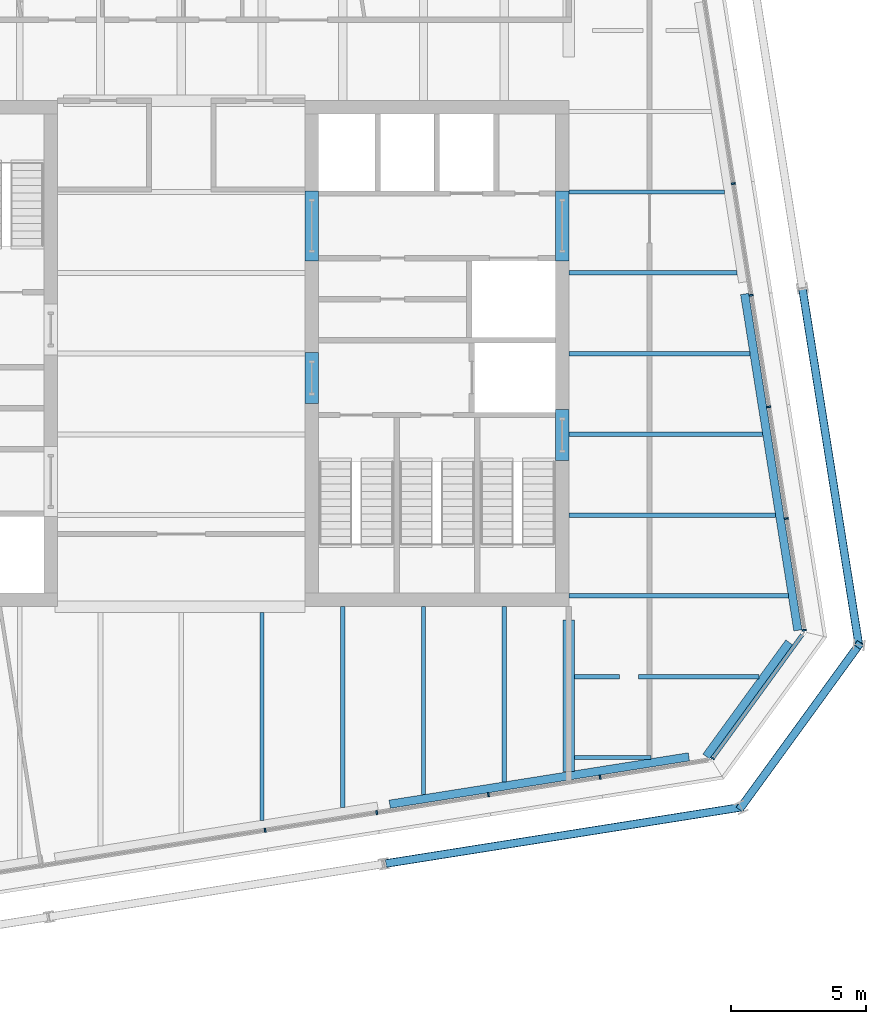
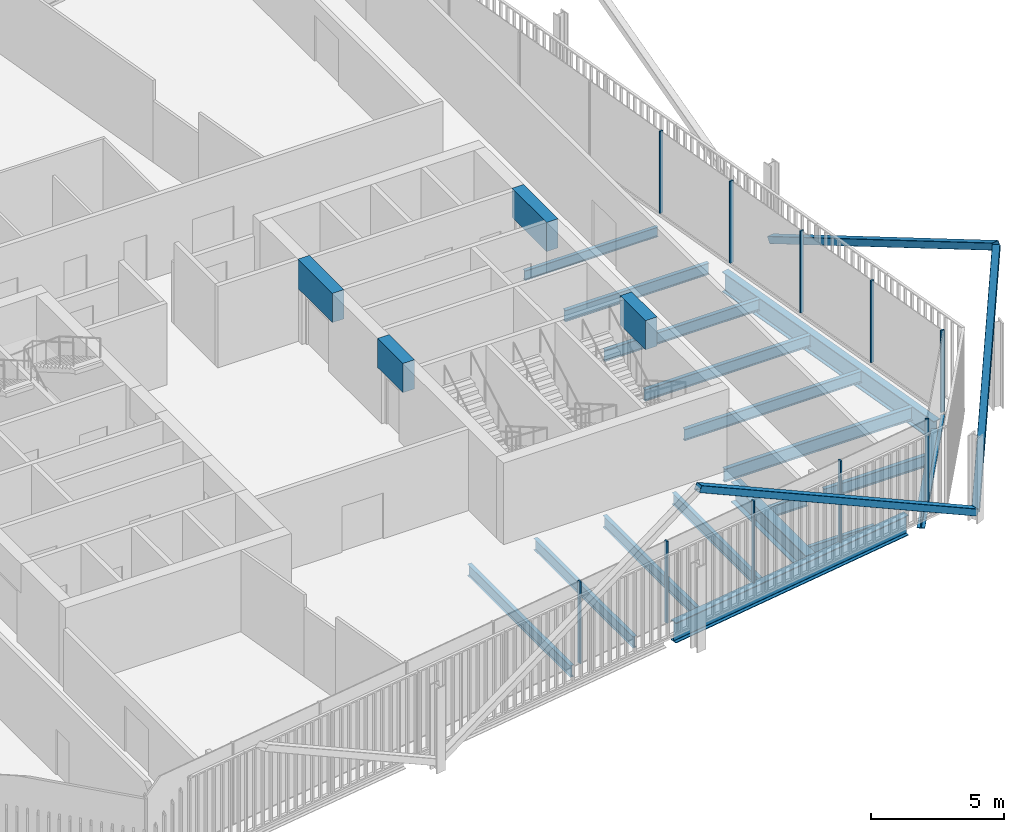
# One storey, part 8 of 20: 21 beams, 14 members, 3 elements without a shape of their own.
"""IFC4 building model written with IfcOpenShell, lengths in metres."""

from ifc_helpers import new_model, si_unit, direction, frame, origin, origin_2d, place, context, subcontext, project, spatial, rectangle, hollow_rectangle, i_section, extrude, material, layer, layer_set, material_profile, profile_set, type_object, element, aggregate, save


model = new_model("IFC4")

# Units and contexts
model_context = context("Model", 3, precision=1e-05, world=origin(), true_north=direction((0.0, 1.0)))
body_context = subcontext(model_context, "Body", "Model", "MODEL_VIEW")
ifc_project = project(units=[si_unit("LENGTHUNIT", "METRE"), si_unit("AREAUNIT", "SQUARE_METRE"), si_unit("VOLUMEUNIT", "CUBIC_METRE"), si_unit("PLANEANGLEUNIT", "RADIAN"), si_unit("MASSUNIT", "GRAM", prefix="KILO")], contexts=[model_context])

# Site, building, storey
site_placement = place(None, origin())
site = spatial("IfcSite", under=ifc_project, at=site_placement, CompositionType="ELEMENT")
building_placement = place(site_placement, origin())
building = spatial("IfcBuilding", under=site, at=building_placement, Name="Millrace Tower", CompositionType="ELEMENT")
storey_placement = place(building_placement, frame((0.0, 0.0, 204.699951171875)))
storey = spatial("IfcBuildingStorey", under=building, at=storey_placement, Name="L46", CompositionType="ELEMENT", Elevation=204.699951171875)

# Curtain wall, members
ifc_material_1 = material(Name="Aluminium and glass", Category="aluminium")
ifc_layer = layer(ifc_material_1, 0.14990234375)
ifc_layer_set = layer_set([ifc_layer], Name="Aluminium and glass")
curtain_wall_type = type_object("IfcCurtainWallType", Name="CW-1 office vision curtain wall", PredefinedType="NOTDEFINED", material=ifc_layer_set)
placement = place(storey_placement, origin())
curtain_wall_1 = element("IfcCurtainWall", 1, at=placement, inside=storey, type_object=curtain_wall_type, Name="Curtain wall D-F02 L46", PredefinedType="NOTDEFINED")
ifc_material_2 = material(Name="Aluminium", Category="aluminium")
ifc_material_profile_1 = material_profile(ifc_material_2, rectangle(XDim=0.06494140625, YDim=0.14990234375, at=origin_2d()))
ifc_profile_set_1 = profile_set([ifc_material_profile_1], Name="Aluminium")
member_type_1 = type_object("IfcMemberType", Name="CW-1 office vision curtain wall mullion", PredefinedType="MULLION", material=ifc_profile_set_1)
member_1_placement = place(storey_placement, frame((3.115966796875, -17.707275390625, 0.14013671875), z_axis=(0.0, 0.0, 1.0), x_axis=(0.987688339511, 0.156434471884, 0.0)))
member_1 = element("IfcMember", 2, at=member_1_placement, type_object=member_type_1, Name="CW1 mullion D-F02.6", PredefinedType="MULLION", context=body_context, shape_type="SweptSolid", body=[
    extrude(rectangle(XDim=0.06494140625, YDim=0.14990234375, at=origin_2d()), origin(), (0.0, 0.0, 1.0), 3.760009765625),
])
member_2_placement = place(storey_placement, frame((7.26416015625, -17.05029296875, 0.14013671875), z_axis=(0.0, 0.0, 1.0), x_axis=(0.987688339511, 0.156434471884, 0.0)))
member_2 = element("IfcMember", 3, at=member_2_placement, type_object=member_type_1, Name="CW1 mullion D-F02.7", PredefinedType="MULLION", context=body_context, shape_type="SweptSolid", body=[
    extrude(rectangle(XDim=0.06494140625, YDim=0.14990234375, at=origin_2d()), origin(), (0.0, 0.0, 1.0), 3.760009765625),
])
member_3_placement = place(storey_placement, frame((11.41259765625, -16.393310546875, 0.14013671875), z_axis=(0.0, 0.0, 1.0), x_axis=(0.987688339511, 0.156434471884, 0.0)))
member_3 = element("IfcMember", 4, at=member_3_placement, type_object=member_type_1, Name="CW1 mullion D-F02.8", PredefinedType="MULLION", context=body_context, shape_type="SweptSolid", body=[
    extrude(rectangle(XDim=0.06494140625, YDim=0.14990234375, at=origin_2d()), origin(), (0.0, 0.0, 1.0), 3.760009765625),
])
member_4_placement = place(storey_placement, frame((15.560791015625, -15.736328125, 0.14013671875), z_axis=(0.0, 0.0, 1.0), x_axis=(0.987688339511, 0.156434471884, 0.0)))
member_4 = element("IfcMember", 5, at=member_4_placement, type_object=member_type_1, Name="CW1 mullion D-F02.9", PredefinedType="MULLION", context=body_context, shape_type="SweptSolid", body=[
    extrude(rectangle(XDim=0.06494140625, YDim=0.14990234375, at=origin_2d()), origin(), (0.0, 0.0, 1.0), 3.760009765625),
])
aggregate(curtain_wall_1, [member_1, member_2, member_3, member_4])

# Curtain wall, member
curtain_wall_2 = element("IfcCurtainWall", 6, at=placement, inside=storey, type_object=curtain_wall_type, Name="Curtain wall D-F03 L46", PredefinedType="NOTDEFINED")
member_5_placement = place(storey_placement, frame((19.7451171875, -15.028076171875, 0.14013671875), z_axis=(0.0, 0.0, 1.0), x_axis=(0.587785305991, 0.809016955361, 0.0)))
member_5 = element("IfcMember", 7, at=member_5_placement, type_object=member_type_1, Name="CW1 mullion D-F03.1", PredefinedType="MULLION", context=body_context, shape_type="SweptSolid", body=[
    extrude(rectangle(XDim=0.06494140625, YDim=0.14990234375, at=origin_2d()), origin(), (0.0, 0.0, 1.0), 3.760009765625),
])

# Curtain wall, members
curtain_wall_3 = element("IfcCurtainWall", 8, at=placement, inside=storey, type_object=curtain_wall_type, Name="Curtain wall D-F04 L46", PredefinedType="NOTDEFINED")
member_6_placement = place(storey_placement, frame((23.142333984375, -10.275390625, 0.14013671875), z_axis=(0.0, 0.0, 1.0), x_axis=(-0.156434471884, 0.987688339511, 0.0)))
member_6 = element("IfcMember", 9, at=member_6_placement, type_object=member_type_1, Name="CW1 mullion D-F04.1", PredefinedType="MULLION", context=body_context, shape_type="SweptSolid", body=[
    extrude(rectangle(XDim=0.06494140625, YDim=0.14990234375, at=origin_2d()), origin(), (0.0, 0.0, 1.0), 3.760009765625),
])
member_7_placement = place(storey_placement, frame((22.4853515625, -6.127197265625, 0.14013671875), z_axis=(0.0, 0.0, 1.0), x_axis=(-0.156434471884, 0.987688339511, 0.0)))
member_7 = element("IfcMember", 10, at=member_7_placement, type_object=member_type_1, Name="CW1 mullion D-F04.2", PredefinedType="MULLION", context=body_context, shape_type="SweptSolid", body=[
    extrude(rectangle(XDim=0.06494140625, YDim=0.14990234375, at=origin_2d()), origin(), (0.0, 0.0, 1.0), 3.760009765625),
])
member_8_placement = place(storey_placement, frame((21.828369140625, -1.97900390625, 0.14013671875), z_axis=(0.0, 0.0, 1.0), x_axis=(-0.156434471884, 0.987688339511, 0.0)))
member_8 = element("IfcMember", 11, at=member_8_placement, type_object=member_type_1, Name="CW1 mullion D-F04.3", PredefinedType="MULLION", context=body_context, shape_type="SweptSolid", body=[
    extrude(rectangle(XDim=0.06494140625, YDim=0.14990234375, at=origin_2d()), origin(), (0.0, 0.0, 1.0), 3.760009765625),
])
member_9_placement = place(storey_placement, frame((21.17138671875, 2.16943359375, 0.14013671875), z_axis=(0.0, 0.0, 1.0), x_axis=(-0.156434471884, 0.987688339511, 0.0)))
member_9 = element("IfcMember", 12, at=member_9_placement, type_object=member_type_1, Name="CW1 mullion D-F04.4", PredefinedType="MULLION", context=body_context, shape_type="SweptSolid", body=[
    extrude(rectangle(XDim=0.06494140625, YDim=0.14990234375, at=origin_2d()), origin(), (0.0, 0.0, 1.0), 3.760009765625),
])
member_10_placement = place(storey_placement, frame((20.514404296875, 6.317626953125, 0.14013671875), z_axis=(0.0, 0.0, 1.0), x_axis=(-0.156434471884, 0.987688339511, 0.0)))
member_10 = element("IfcMember", 13, at=member_10_placement, type_object=member_type_1, Name="CW1 mullion D-F04.5", PredefinedType="MULLION", context=body_context, shape_type="SweptSolid", body=[
    extrude(rectangle(XDim=0.06494140625, YDim=0.14990234375, at=origin_2d()), origin(), (0.0, 0.0, 1.0), 3.760009765625),
])
aggregate(curtain_wall_3, [member_6, member_7, member_8, member_9, member_10])

# Member
ifc_material_3 = material(Name="Aluminium", Category="aluminium")
ifc_material_profile_2 = material_profile(ifc_material_3, rectangle(XDim=0.14990234375, YDim=0.139892578125, at=origin_2d()))
ifc_profile_set_2 = profile_set([ifc_material_profile_2], Name="Aluminium")
member_type_2 = type_object("IfcMemberType", Name="CW-1 office vision curtain wall transom", PredefinedType="USERDEFINED", material=ifc_profile_set_2)
member_11_placement = place(storey_placement, frame((19.78466796875, -14.973388671875, 0.070068359375), z_axis=(0.587811213399, 0.808998131891, 0.0), x_axis=(-0.808998131891, 0.587811213399, 0.0)))
member_11 = element("IfcMember", 14, at=member_11_placement, type_object=member_type_2, Name="CW1 transom D-F03.1", ObjectType="TRANSOM", PredefinedType="USERDEFINED", context=body_context, shape_type="SweptSolid", body=[
    extrude(rectangle(XDim=0.14990234375, YDim=0.139892578125, at=origin_2d()), origin(), (0.0, 0.0, 1.0), 5.598388671875),
])

aggregate(curtain_wall_2, [member_5, member_11])

# Beams
ifc_material_4 = material(Name="Concrete C60", Category="concrete")
ifc_material_profile_3 = material_profile(ifc_material_4, rectangle(XDim=0.5, YDim=1.340087890625, at=origin_2d()))
ifc_profile_set_3 = profile_set([ifc_material_profile_3], Name="Concrete C60")
beam_type_1 = type_object("IfcBeamType", Name="Coupling beam 500 x 1340 Concrete C60, 1300 opening", PredefinedType="BEAM", material=ifc_profile_set_3)
beam_1_placement = place(storey_placement, frame((14.14990234375, -2.080078125, 3.070068359375), z_axis=(0.0, -1.0, 0.0), x_axis=(1.0, 0.0, 0.0)))
element("IfcBeam", 15, at=beam_1_placement, inside=storey, type_object=beam_type_1, Name="Coupling beam E L46", PredefinedType="BEAM", context=body_context, shape_type="SweptSolid", body=[
    extrude(rectangle(XDim=0.5, YDim=1.340087890625, at=origin_2d()), origin(), (0.0, 0.0, 1.0), 1.89990234375),
])
beam_2_placement = place(storey_placement, frame((4.85009765625, 0.050048828125, 3.070068359375), z_axis=(0.0, -1.0, 0.0), x_axis=(1.0, 0.0, 0.0)))
element("IfcBeam", 16, at=beam_2_placement, inside=storey, type_object=beam_type_1, Name="Coupling beam E L46", PredefinedType="BEAM", context=body_context, shape_type="SweptSolid", body=[
    extrude(rectangle(XDim=0.5, YDim=1.340087890625, at=origin_2d()), origin(), (0.0, 0.0, 1.0), 1.900146484375),
])
ifc_material_5 = material(Name="Concrete C60", Category="concrete")
ifc_material_profile_4 = material_profile(ifc_material_5, rectangle(XDim=0.5, YDim=1.340087890625, at=origin_2d()))
ifc_profile_set_4 = profile_set([ifc_material_profile_4], Name="Concrete C60")
beam_type_2 = type_object("IfcBeamType", Name="Coupling beam 500 x 1340 Concrete C60, 2000 opening", PredefinedType="BEAM", material=ifc_profile_set_4)
for number, where, z_axis, x_axis, name in (
    (17, (14.14990234375, 6.050048828125, 3.070068359375), (0.0, -1.0, 0.0), (1.0, 0.0, 0.0), "Coupling beam E L46"),
    (18, (4.85009765625, 6.050048828125, 3.070068359375), (0.0, -1.0, 0.0), (1.0, 0.0, 0.0), "Coupling beam E L46"),
):
    element("IfcBeam", number, at=place(storey_placement, frame(where, z_axis=z_axis, x_axis=x_axis)), inside=storey, type_object=beam_type_2, Name=name, PredefinedType="BEAM", context=body_context, shape_type="SweptSolid", body=[
        extrude(rectangle(XDim=0.5, YDim=1.340087890625, at=origin_2d()), origin(), (0.0, 0.0, 1.0), 2.60009765625),
    ])

# Members
ifc_material_6 = material(Name="Steel ASTM A500 Grade C", Category="steel")
ifc_material_profile_5 = material_profile(ifc_material_6, hollow_rectangle(XDim=0.3046875, YDim=0.3046875, WallThickness=0.0126953125, InnerFilletRadius=0.00634765625, OuterFilletRadius=0.01904296875, at=origin_2d()))
ifc_profile_set_5 = profile_set([ifc_material_profile_5], Name="Steel ASTM A500 Grade C")
member_type_3 = type_object("IfcMemberType", Name="Exoskeleton brace HSS12x12x1/2", PredefinedType="BRACE", material=ifc_profile_set_5)
member_12_placement = place(storey_placement, frame((20.79638671875, -16.85595703125, 0.400146484375), z_axis=(-0.875833559472, -0.13872819238, 0.462244594065), x_axis=(0.156445228811, -0.987686635721, 0.0)))
element("IfcMember", 19, at=member_12_placement, inside=storey, type_object=member_type_3, Name="BRC-D-L46-04", PredefinedType="BRACE", context=body_context, shape_type="SweptSolid", body=[
    extrude(hollow_rectangle(XDim=0.3046875, YDim=0.3046875, WallThickness=0.0126953125, InnerFilletRadius=0.00634765625, OuterFilletRadius=0.01904296875, at=origin_2d()), origin(), (0.0, 0.0, 1.0), 15.1435546875),
])
member_13_placement = place(storey_placement, frame((20.79638671875, -16.85595703125, 0.400146484375), z_axis=(0.42850795905, 0.589774395252, 0.684504997598), x_axis=(-0.809009310944, 0.587795827483, 0.0)))
element("IfcMember", 20, at=member_13_placement, inside=storey, type_object=member_type_3, Name="BRC-D-L46-05", PredefinedType="BRACE", context=body_context, shape_type="SweptSolid", body=[
    extrude(hollow_rectangle(XDim=0.3046875, YDim=0.3046875, WallThickness=0.0126953125, InnerFilletRadius=0.00634765625, OuterFilletRadius=0.01904296875, at=origin_2d()), origin(), (0.0, 0.0, 1.0), 10.226318359375),
])
member_14_placement = place(storey_placement, frame((23.07763671875, 2.4384765625, 0.400146484375), z_axis=(0.13872819238, -0.875833559472, 0.462244594065), x_axis=(0.987686635721, 0.156445228811, 0.0)))
element("IfcMember", 21, at=member_14_placement, inside=storey, type_object=member_type_3, Name="BRC-D-L46-06", PredefinedType="BRACE", context=body_context, shape_type="SweptSolid", body=[
    extrude(hollow_rectangle(XDim=0.3046875, YDim=0.3046875, WallThickness=0.0126953125, InnerFilletRadius=0.00634765625, OuterFilletRadius=0.01904296875, at=origin_2d()), origin(), (0.0, 0.0, 1.0), 15.1435546875),
])

# Beams
ifc_material_7 = material(Name="Steel ASTM A992 Grade 50", Category="steel")
ifc_material_profile_6 = material_profile(ifc_material_7, i_section(OverallWidth=0.15234375, OverallDepth=0.449462890625, WebThickness=0.007568359375, FlangeThickness=0.0107421875, FilletRadius=0.01025390625, at=origin_2d()))
ifc_profile_set_6 = profile_set([ifc_material_profile_6], Name="Steel ASTM A992 Grade 50")
beam_type_3 = type_object("IfcBeamType", Name="Floor beam W18x35", PredefinedType="JOIST", material=ifc_profile_set_6)
beam_3_placement = place(storey_placement, frame((14.39990234375, 6.0, -0.384765625), z_axis=(1.0, 0.0, 0.0), x_axis=(0.0, 1.0, 0.0)))
element("IfcBeam", 22, at=beam_3_placement, inside=storey, type_object=beam_type_3, Name="BM-D-L46-S1-S022", PredefinedType="JOIST", context=body_context, shape_type="SweptSolid", body=[
    extrude(i_section(OverallWidth=0.15234375, OverallDepth=0.449462890625, WebThickness=0.007568359375, FlangeThickness=0.0107421875, FilletRadius=0.01025390625, at=origin_2d()), origin(), (0.0, 0.0, 1.0), 5.777587890625),
])
beam_4_placement = place(storey_placement, frame((14.609619140625, -15.0, -0.384765625), z_axis=(1.0, 0.0, 0.0), x_axis=(0.0, 1.0, 0.0)))
element("IfcBeam", 23, at=beam_4_placement, inside=storey, type_object=beam_type_3, Name="BM-D-L46-S1-S003", PredefinedType="JOIST", context=body_context, shape_type="SweptSolid", body=[
    extrude(i_section(OverallWidth=0.15234375, OverallDepth=0.449462890625, WebThickness=0.007568359375, FlangeThickness=0.0107421875, FilletRadius=0.01025390625, at=origin_2d()), origin(), (0.0, 0.0, 1.0), 2.839599609375),
])
ifc_material_8 = material(Name="Steel ASTM A992 Grade 50", Category="steel")
ifc_material_profile_7 = material_profile(ifc_material_8, i_section(OverallWidth=0.1650390625, OverallDepth=0.52587890625, WebThickness=0.0087890625, FlangeThickness=0.011474609375, FilletRadius=0.0126953125, at=origin_2d()))
ifc_profile_set_7 = profile_set([ifc_material_profile_7], Name="Steel ASTM A992 Grade 50")
beam_type_4 = type_object("IfcBeamType", Name="Floor beam W21x44", PredefinedType="JOIST", material=ifc_profile_set_7)
beam_5_placement = place(storey_placement, frame((14.39990234375, -6.0, -0.4228515625), z_axis=(1.0, 0.0, 0.0), x_axis=(0.0, 1.0, 0.0)))
element("IfcBeam", 24, at=beam_5_placement, inside=storey, type_object=beam_type_4, Name="BM-D-L46-S1-S010", PredefinedType="JOIST", context=body_context, shape_type="SweptSolid", body=[
    extrude(i_section(OverallWidth=0.1650390625, OverallDepth=0.52587890625, WebThickness=0.0087890625, FlangeThickness=0.011474609375, FilletRadius=0.0126953125, at=origin_2d()), origin(), (0.0, 0.0, 1.0), 7.67822265625),
])
beam_6_placement = place(storey_placement, frame((14.39990234375, -3.0, -0.4228515625), z_axis=(1.0, 0.0, 0.0), x_axis=(0.0, 1.0, 0.0)))
element("IfcBeam", 25, at=beam_6_placement, inside=storey, type_object=beam_type_4, Name="BM-D-L46-S1-S013", PredefinedType="JOIST", context=body_context, shape_type="SweptSolid", body=[
    extrude(i_section(OverallWidth=0.1650390625, OverallDepth=0.52587890625, WebThickness=0.0087890625, FlangeThickness=0.011474609375, FilletRadius=0.0126953125, at=origin_2d()), origin(), (0.0, 0.0, 1.0), 7.203125),
])
beam_7_placement = place(storey_placement, frame((14.39990234375, 0.0, -0.4228515625), z_axis=(1.0, 0.0, 0.0), x_axis=(0.0, 1.0, 0.0)))
element("IfcBeam", 26, at=beam_7_placement, inside=storey, type_object=beam_type_4, Name="BM-D-L46-S1-S016", PredefinedType="JOIST", context=body_context, shape_type="SweptSolid", body=[
    extrude(i_section(OverallWidth=0.1650390625, OverallDepth=0.52587890625, WebThickness=0.0087890625, FlangeThickness=0.011474609375, FilletRadius=0.0126953125, at=origin_2d()), origin(), (0.0, 0.0, 1.0), 6.72802734375),
])
beam_8_placement = place(storey_placement, frame((14.39990234375, 3.0, -0.4228515625), z_axis=(1.0, 0.0, 0.0), x_axis=(0.0, 1.0, 0.0)))
element("IfcBeam", 27, at=beam_8_placement, inside=storey, type_object=beam_type_4, Name="BM-D-L46-S1-S019", PredefinedType="JOIST", context=body_context, shape_type="SweptSolid", body=[
    extrude(i_section(OverallWidth=0.1650390625, OverallDepth=0.52587890625, WebThickness=0.0087890625, FlangeThickness=0.011474609375, FilletRadius=0.0126953125, at=origin_2d()), origin(), (0.0, 0.0, 1.0), 6.252685546875),
])
beam_9_placement = place(storey_placement, frame((3.0, -17.338623046875, -0.4228515625), z_axis=(0.0, 1.0, 0.0), x_axis=(-1.0, 0.0, 0.0)))
element("IfcBeam", 28, at=beam_9_placement, inside=storey, type_object=beam_type_4, Name="BM-D-L46-S1-S047", PredefinedType="JOIST", context=body_context, shape_type="SweptSolid", body=[
    extrude(i_section(OverallWidth=0.1650390625, OverallDepth=0.52587890625, WebThickness=0.0087890625, FlangeThickness=0.011474609375, FilletRadius=0.0126953125, at=origin_2d()), origin(), (0.0, 0.0, 1.0), 7.72900390625),
])
beam_10_placement = place(storey_placement, frame((6.0, -16.863525390625, -0.4228515625), z_axis=(0.0, 1.0, 0.0), x_axis=(-1.0, 0.0, 0.0)))
element("IfcBeam", 29, at=beam_10_placement, inside=storey, type_object=beam_type_4, Name="BM-D-L46-S1-S049", PredefinedType="JOIST", context=body_context, shape_type="SweptSolid", body=[
    extrude(i_section(OverallWidth=0.1650390625, OverallDepth=0.52587890625, WebThickness=0.0087890625, FlangeThickness=0.011474609375, FilletRadius=0.0126953125, at=origin_2d()), origin(), (0.0, 0.0, 1.0), 7.463623046875),
])
beam_11_placement = place(storey_placement, frame((9.0, -16.38818359375, -0.4228515625), z_axis=(0.0, 1.0, 0.0), x_axis=(-1.0, 0.0, 0.0)))
element("IfcBeam", 30, at=beam_11_placement, inside=storey, type_object=beam_type_4, Name="BM-D-L46-S1-S051", PredefinedType="JOIST", context=body_context, shape_type="SweptSolid", body=[
    extrude(i_section(OverallWidth=0.1650390625, OverallDepth=0.52587890625, WebThickness=0.0087890625, FlangeThickness=0.011474609375, FilletRadius=0.0126953125, at=origin_2d()), origin(), (0.0, 0.0, 1.0), 6.98828125),
])
beam_12_placement = place(storey_placement, frame((12.0, -15.9130859375, -0.4228515625), z_axis=(0.0, 1.0, 0.0), x_axis=(-1.0, 0.0, 0.0)))
element("IfcBeam", 31, at=beam_12_placement, inside=storey, type_object=beam_type_4, Name="BM-D-L46-S1-S053", PredefinedType="JOIST", context=body_context, shape_type="SweptSolid", body=[
    extrude(i_section(OverallWidth=0.1650390625, OverallDepth=0.52587890625, WebThickness=0.0087890625, FlangeThickness=0.011474609375, FilletRadius=0.0126953125, at=origin_2d()), origin(), (0.0, 0.0, 1.0), 6.51318359375),
])
beam_13_placement = place(storey_placement, frame((14.609619140625, -12.0, -0.4228515625), z_axis=(1.0, 0.0, 0.0), x_axis=(0.0, 1.0, 0.0)))
element("IfcBeam", 32, at=beam_13_placement, inside=storey, type_object=beam_type_4, Name="BM-D-L46-S1-S005-a", PredefinedType="JOIST", context=body_context, shape_type="SweptSolid", body=[
    extrude(i_section(OverallWidth=0.1650390625, OverallDepth=0.52587890625, WebThickness=0.0087890625, FlangeThickness=0.011474609375, FilletRadius=0.0126953125, at=origin_2d()), origin(), (0.0, 0.0, 1.0), 1.668701171875),
])
beam_14_placement = place(storey_placement, frame((16.982666015625, -12.0, -0.4228515625), z_axis=(1.0, 0.0, 0.0), x_axis=(0.0, 1.0, 0.0)))
element("IfcBeam", 33, at=beam_14_placement, inside=storey, type_object=beam_type_4, Name="BM-D-L46-S1-S005-b", PredefinedType="JOIST", context=body_context, shape_type="SweptSolid", body=[
    extrude(i_section(OverallWidth=0.1650390625, OverallDepth=0.52587890625, WebThickness=0.0087890625, FlangeThickness=0.011474609375, FilletRadius=0.0126953125, at=origin_2d()), origin(), (0.0, 0.0, 1.0), 4.48974609375),
])
ifc_material_9 = material(Name="Steel ASTM A992 Grade 50", Category="steel")
ifc_material_profile_8 = material_profile(ifc_material_9, i_section(OverallWidth=0.177978515625, OverallDepth=0.599365234375, WebThickness=0.010009765625, FlangeThickness=0.012939453125, FilletRadius=0.012939453125, at=origin_2d()))
ifc_profile_set_8 = profile_set([ifc_material_profile_8], Name="Steel ASTM A992 Grade 50")
beam_type_5 = type_object("IfcBeamType", Name="Floor beam W24x55", PredefinedType="JOIST", material=ifc_profile_set_8)
beam_15_placement = place(storey_placement, frame((14.39990234375, -9.0, -0.459716796875), z_axis=(1.0, 0.0, 0.0), x_axis=(0.0, 1.0, 0.0)))
element("IfcBeam", 34, at=beam_15_placement, inside=storey, type_object=beam_type_5, Name="BM-D-L46-S1-S007", PredefinedType="JOIST", context=body_context, shape_type="SweptSolid", body=[
    extrude(i_section(OverallWidth=0.177978515625, OverallDepth=0.599365234375, WebThickness=0.010009765625, FlangeThickness=0.012939453125, FilletRadius=0.012939453125, at=origin_2d()), origin(), (0.0, 0.0, 1.0), 8.1533203125),
])
ifc_material_10 = material(Name="Steel ASTM A992 Grade 50", Category="steel")
ifc_material_profile_9 = material_profile(ifc_material_10, i_section(OverallWidth=0.419189453125, OverallDepth=0.927001953125, WebThickness=0.019287109375, FlangeThickness=0.031982421875, FilletRadius=0.024169921875, at=origin_2d()))
ifc_profile_set_9 = profile_set([ifc_material_profile_9], Name="Steel ASTM A992 Grade 50")
beam_type_6 = type_object("IfcBeamType", Name="Girder short span W36x231", PredefinedType="BEAM", material=ifc_profile_set_9)
beam_16_placement = place(storey_placement, frame((14.39990234375, -15.52490234375, -0.62353515625), z_axis=(0.0, 1.0, 0.0), x_axis=(-1.0, 0.0, 0.0)))
element("IfcBeam", 35, at=beam_16_placement, inside=storey, type_object=beam_type_6, Name="BM-D-L46-S1-G057", PredefinedType="BEAM", context=body_context, shape_type="SweptSolid", body=[
    extrude(i_section(OverallWidth=0.419189453125, OverallDepth=0.927001953125, WebThickness=0.019287109375, FlangeThickness=0.031982421875, FilletRadius=0.024169921875, at=origin_2d()), origin(), (0.0, 0.0, 1.0), 5.623291015625),
])
ifc_material_11 = material(Name="Steel ASTM A992 Grade 50", Category="steel")
ifc_material_profile_10 = material_profile(ifc_material_11, i_section(OverallWidth=0.307373046875, OverallDepth=0.927001953125, WebThickness=0.01953125, FlangeThickness=0.031982421875, FilletRadius=0.01904296875, at=origin_2d()))
ifc_profile_set_10 = profile_set([ifc_material_profile_10], Name="Steel ASTM A992 Grade 50")
beam_type_7 = type_object("IfcBeamType", Name="Ring beam medium span W36x194", PredefinedType="SPANDREL", material=ifc_profile_set_10)
beam_17_placement = place(storey_placement, frame((20.932373046875, 2.216064453125, -0.62353515625), z_axis=(0.156433223372, -0.987688537255, 0.0), x_axis=(0.987688537255, 0.156433223372, 0.0)))
element("IfcBeam", 36, at=beam_17_placement, inside=storey, type_object=beam_type_7, Name="RNG-D-L46-S1-11", PredefinedType="SPANDREL", context=body_context, shape_type="SweptSolid", body=[
    extrude(i_section(OverallWidth=0.307373046875, OverallDepth=0.927001953125, WebThickness=0.01953125, FlangeThickness=0.031982421875, FilletRadius=0.01904296875, at=origin_2d()), origin(), (0.0, 0.0, 1.0), 12.65234375),
])
ifc_material_12 = material(Name="Steel ASTM A992 Grade 50", Category="steel")
ifc_material_profile_11 = material_profile(ifc_material_12, i_section(OverallWidth=0.307373046875, OverallDepth=0.927001953125, WebThickness=0.01953125, FlangeThickness=0.031982421875, FilletRadius=0.01904296875, at=origin_2d()))
ifc_profile_set_11 = profile_set([ifc_material_profile_11], Name="Steel ASTM A992 Grade 50")
beam_type_8 = type_object("IfcBeamType", Name="Ring beam short span W36x194", PredefinedType="SPANDREL", material=ifc_profile_set_11)
beam_18_placement = place(storey_placement, frame((22.586669921875, -10.72802734375, -0.62353515625), z_axis=(-0.587783919787, -0.809017962495, 0.0), x_axis=(0.809017962495, -0.587783919787, 0.0)))
element("IfcBeam", 37, at=beam_18_placement, inside=storey, type_object=beam_type_8, Name="RNG-D-L46-S1-12", PredefinedType="SPANDREL", context=body_context, shape_type="SweptSolid", body=[
    extrude(i_section(OverallWidth=0.307373046875, OverallDepth=0.927001953125, WebThickness=0.01953125, FlangeThickness=0.031982421875, FilletRadius=0.01904296875, at=origin_2d()), origin(), (0.0, 0.0, 1.0), 5.24169921875),
])
beam_19_placement = place(storey_placement, frame((18.860107421875, -14.982177734375, -0.62353515625), z_axis=(-0.987687033357, -0.156442718393, 0.0), x_axis=(0.156442718393, -0.987687033357, 0.0)))
element("IfcBeam", 38, at=beam_19_placement, inside=storey, type_object=beam_type_8, Name="RNG-D-L46-S1-13", PredefinedType="SPANDREL", context=body_context, shape_type="SweptSolid", body=[
    extrude(i_section(OverallWidth=0.307373046875, OverallDepth=0.927001953125, WebThickness=0.01953125, FlangeThickness=0.031982421875, FilletRadius=0.01904296875, at=origin_2d()), origin(), (0.0, 0.0, 1.0), 11.25341796875),
])

save(model, "model.ifc")
